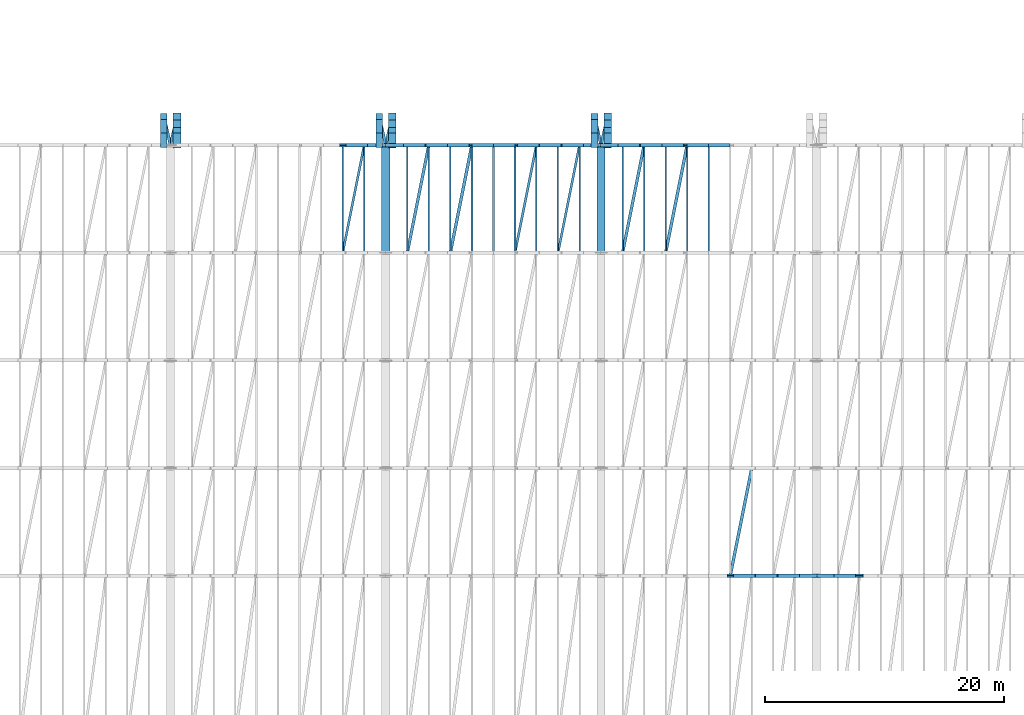
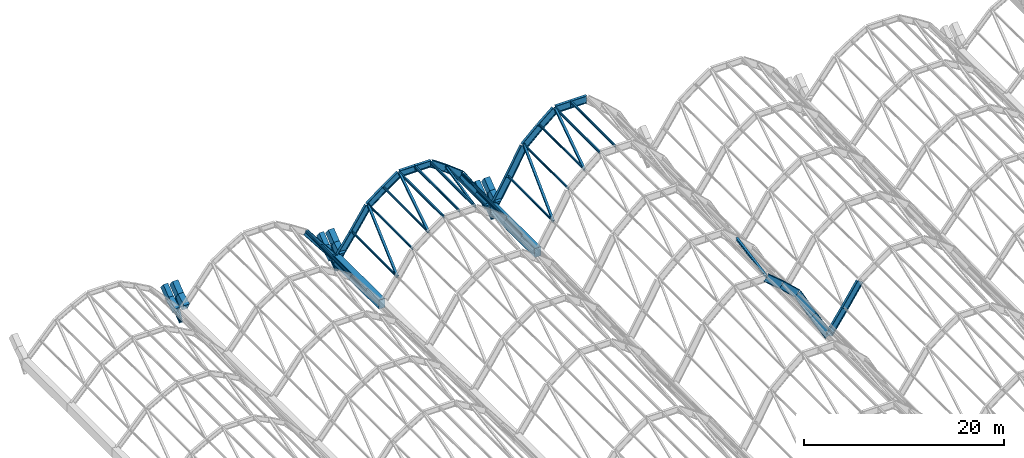
# One storey, part 22 of 86: 38 beams, 30 members.
"""IFC4 building model written with IfcOpenShell, lengths in metres."""

from ifc_helpers import new_model, si_unit, direction, frame, origin, origin_2d, place, context, subcontext, project, spatial, rectangle, i_section, extrude, material, material_profile, profile_set, type_object, element, save


model = new_model("IFC4")

# Units and contexts
model_context = context("Model", 3, precision=1e-05, world=origin(), true_north=direction((0.0, 1.0)))
body_context = subcontext(model_context, "Body", "Model", "MODEL_VIEW")
ifc_project = project(units=[si_unit("LENGTHUNIT", "METRE"), si_unit("AREAUNIT", "SQUARE_METRE"), si_unit("VOLUMEUNIT", "CUBIC_METRE"), si_unit("PLANEANGLEUNIT", "RADIAN"), si_unit("MASSUNIT", "GRAM", prefix="KILO")], contexts=[model_context])

# Site, building, storey
site_placement = place(None, origin())
site = spatial("IfcSite", under=ifc_project, at=site_placement, CompositionType="ELEMENT")
building_placement = place(site_placement, origin())
building = spatial("IfcBuilding", under=site, at=building_placement, Name="Chuanluo Vaults Station", CompositionType="ELEMENT")
storey_placement = place(building_placement, frame((0.0, 0.0, 14.39990234375)))
storey = spatial("IfcBuildingStorey", under=building, at=storey_placement, Name="L03", CompositionType="ELEMENT", Elevation=14.39990234375)

# Beams
ifc_material_1 = material(Name="Concrete C50", Category="concrete")
ifc_material_profile_1 = material_profile(ifc_material_1, rectangle(XDim=0.64990234375, YDim=0.949951171875, at=origin_2d()))
ifc_profile_set_1 = profile_set([ifc_material_profile_1], Name="Concrete C50")
beam_type_1 = type_object("IfcBeamType", Name="BM-CUSP-RC1", PredefinedType="USERDEFINED", material=ifc_profile_set_1)
beam_1_placement = place(storey_placement, frame((18.550048828125, 103.5, -0.5498046875), z_axis=(0.0, 0.872520545396, 0.488577422588), x_axis=(-1.0, 0.0, 0.0)))
element("IfcBeam", 1, at=beam_1_placement, inside=storey, type_object=beam_type_1, Name="Vault V2 upturned cusp rib N-W chord 1", ObjectType="GIRDER", PredefinedType="USERDEFINED", context=body_context, shape_type="SweptSolid", body=[
    extrude(rectangle(XDim=0.64990234375, YDim=0.949951171875, at=origin_2d()), origin(), (0.0, 0.0, 1.0), 1.4326171875),
])
beam_2_placement = place(storey_placement, frame((18.550048828125, 104.75, 0.150146484375), z_axis=(0.0, 0.787512057463, 0.61629924497), x_axis=(-1.0, 0.0, 0.0)))
element("IfcBeam", 2, at=beam_2_placement, inside=storey, type_object=beam_type_1, Name="Vault V2 upturned cusp rib N-W chord 2", ObjectType="GIRDER", PredefinedType="USERDEFINED", context=body_context, shape_type="SweptSolid", body=[
    extrude(rectangle(XDim=0.64990234375, YDim=0.949951171875, at=origin_2d()), origin(), (0.0, 0.0, 1.0), 1.460205078125),
])
beam_3_placement = place(storey_placement, frame((36.550048828125, 103.5, -0.5498046875), z_axis=(0.0, 0.872520545396, 0.488577422588), x_axis=(-1.0, 0.0, 0.0)))
element("IfcBeam", 3, at=beam_3_placement, inside=storey, type_object=beam_type_1, Name="Vault V3 upturned cusp rib N-W chord 1", ObjectType="GIRDER", PredefinedType="USERDEFINED", context=body_context, shape_type="SweptSolid", body=[
    extrude(rectangle(XDim=0.64990234375, YDim=0.949951171875, at=origin_2d()), origin(), (0.0, 0.0, 1.0), 1.4326171875),
])
beam_4_placement = place(storey_placement, frame((36.550048828125, 104.75, 0.150146484375), z_axis=(0.0, 0.787512057463, 0.61629924497), x_axis=(-1.0, 0.0, 0.0)))
element("IfcBeam", 4, at=beam_4_placement, inside=storey, type_object=beam_type_1, Name="Vault V3 upturned cusp rib N-W chord 2", ObjectType="GIRDER", PredefinedType="USERDEFINED", context=body_context, shape_type="SweptSolid", body=[
    extrude(rectangle(XDim=0.64990234375, YDim=0.949951171875, at=origin_2d()), origin(), (0.0, 0.0, 1.0), 1.460205078125),
])
beam_5_placement = place(storey_placement, frame((54.550048828125, 103.5, -0.5498046875), z_axis=(0.0, 0.872520545396, 0.488577422588), x_axis=(-1.0, 0.0, 0.0)))
element("IfcBeam", 5, at=beam_5_placement, inside=storey, type_object=beam_type_1, Name="Vault V4 upturned cusp rib N-W chord 1", ObjectType="GIRDER", PredefinedType="USERDEFINED", context=body_context, shape_type="SweptSolid", body=[
    extrude(rectangle(XDim=0.64990234375, YDim=0.949951171875, at=origin_2d()), origin(), (0.0, 0.0, 1.0), 1.4326171875),
])
beam_6_placement = place(storey_placement, frame((54.550048828125, 104.75, 0.150146484375), z_axis=(0.0, 0.787512057463, 0.61629924497), x_axis=(-1.0, 0.0, 0.0)))
element("IfcBeam", 6, at=beam_6_placement, inside=storey, type_object=beam_type_1, Name="Vault V4 upturned cusp rib N-W chord 2", ObjectType="GIRDER", PredefinedType="USERDEFINED", context=body_context, shape_type="SweptSolid", body=[
    extrude(rectangle(XDim=0.64990234375, YDim=0.949951171875, at=origin_2d()), origin(), (0.0, 0.0, 1.0), 1.460205078125),
])
ifc_material_2 = material(Name="Concrete C50", Category="concrete")
ifc_material_profile_2 = material_profile(ifc_material_2, rectangle(XDim=0.550048828125, YDim=0.85009765625, at=origin_2d()))
ifc_profile_set_2 = profile_set([ifc_material_profile_2], Name="Concrete C50")
beam_type_2 = type_object("IfcBeamType", Name="BM-CUSP-RC2", PredefinedType="USERDEFINED", material=ifc_profile_set_2)
beam_7_placement = place(storey_placement, frame((17.449951171875, 103.5, -0.5498046875), z_axis=(0.0, 0.872520545396, 0.488577422588), x_axis=(-1.0, 0.0, 0.0)))
element("IfcBeam", 7, at=beam_7_placement, inside=storey, type_object=beam_type_2, Name="Vault V1 upturned cusp rib N-E chord 1", ObjectType="GIRDER", PredefinedType="USERDEFINED", context=body_context, shape_type="SweptSolid", body=[
    extrude(rectangle(XDim=0.550048828125, YDim=0.85009765625, at=origin_2d()), origin(), (0.0, 0.0, 1.0), 1.4326171875),
])
beam_8_placement = place(storey_placement, frame((17.449951171875, 104.75, 0.150146484375), z_axis=(0.0, 0.787512057463, 0.61629924497), x_axis=(-1.0, 0.0, 0.0)))
element("IfcBeam", 8, at=beam_8_placement, inside=storey, type_object=beam_type_2, Name="Vault V1 upturned cusp rib N-E chord 2", ObjectType="GIRDER", PredefinedType="USERDEFINED", context=body_context, shape_type="SweptSolid", body=[
    extrude(rectangle(XDim=0.550048828125, YDim=0.85009765625, at=origin_2d()), origin(), (0.0, 0.0, 1.0), 1.460205078125),
])
beam_9_placement = place(storey_placement, frame((35.449951171875, 103.5, -0.5498046875), z_axis=(0.0, 0.872520545396, 0.488577422588), x_axis=(-1.0, 0.0, 0.0)))
element("IfcBeam", 9, at=beam_9_placement, inside=storey, type_object=beam_type_2, Name="Vault V2 upturned cusp rib N-E chord 1", ObjectType="GIRDER", PredefinedType="USERDEFINED", context=body_context, shape_type="SweptSolid", body=[
    extrude(rectangle(XDim=0.550048828125, YDim=0.85009765625, at=origin_2d()), origin(), (0.0, 0.0, 1.0), 1.4326171875),
])
beam_10_placement = place(storey_placement, frame((35.449951171875, 104.75, 0.150146484375), z_axis=(0.0, 0.787512057463, 0.61629924497), x_axis=(-1.0, 0.0, 0.0)))
element("IfcBeam", 10, at=beam_10_placement, inside=storey, type_object=beam_type_2, Name="Vault V2 upturned cusp rib N-E chord 2", ObjectType="GIRDER", PredefinedType="USERDEFINED", context=body_context, shape_type="SweptSolid", body=[
    extrude(rectangle(XDim=0.550048828125, YDim=0.85009765625, at=origin_2d()), origin(), (0.0, 0.0, 1.0), 1.460205078125),
])
beam_11_placement = place(storey_placement, frame((53.449951171875, 103.5, -0.5498046875), z_axis=(0.0, 0.872520545396, 0.488577422588), x_axis=(-1.0, 0.0, 0.0)))
element("IfcBeam", 11, at=beam_11_placement, inside=storey, type_object=beam_type_2, Name="Vault V3 upturned cusp rib N-E chord 1", ObjectType="GIRDER", PredefinedType="USERDEFINED", context=body_context, shape_type="SweptSolid", body=[
    extrude(rectangle(XDim=0.550048828125, YDim=0.85009765625, at=origin_2d()), origin(), (0.0, 0.0, 1.0), 1.4326171875),
])
beam_12_placement = place(storey_placement, frame((53.449951171875, 104.75, 0.150146484375), z_axis=(0.0, 0.787512057463, 0.61629924497), x_axis=(-1.0, 0.0, 0.0)))
element("IfcBeam", 12, at=beam_12_placement, inside=storey, type_object=beam_type_2, Name="Vault V3 upturned cusp rib N-E chord 2", ObjectType="GIRDER", PredefinedType="USERDEFINED", context=body_context, shape_type="SweptSolid", body=[
    extrude(rectangle(XDim=0.550048828125, YDim=0.85009765625, at=origin_2d()), origin(), (0.0, 0.0, 1.0), 1.460205078125),
])
ifc_material_3 = material(Name="Concrete C50", Category="concrete")
ifc_material_profile_3 = material_profile(ifc_material_3, rectangle(XDim=0.699951171875, YDim=1.10009765625, at=origin_2d()))
ifc_profile_set_3 = profile_set([ifc_material_profile_3], Name="Concrete C50")
beam_type_3 = type_object("IfcBeamType", Name="BM-VAL-RC", PredefinedType="USERDEFINED", material=ifc_profile_set_3)
for number, where, z_axis, x_axis, name in (
    (13, (36.0, 94.5, -0.7998046875), (0.0, 1.0, 0.0), (-1.0, 0.0, 0.0), "Vault springing valley beam X36-8"),
    (14, (54.0, 94.5, -0.7998046875), (0.0, 1.0, 0.0), (-1.0, 0.0, 0.0), "Vault springing valley beam X54-8"),
):
    element("IfcBeam", number, at=place(storey_placement, frame(where, z_axis=z_axis, x_axis=x_axis)), inside=storey, type_object=beam_type_3, Name=name, ObjectType="GIRDER", PredefinedType="USERDEFINED", context=body_context, shape_type="SweptSolid", body=[
        extrude(rectangle(XDim=0.699951171875, YDim=1.10009765625, at=origin_2d()), origin(), (0.0, 0.0, 1.0), 9.0),
    ])
ifc_material_4 = material(Name="Steel Q355C", Category="steel")
ifc_material_profile_4 = material_profile(ifc_material_4, i_section(OverallWidth=0.300048828125, OverallDepth=0.699951171875, WebThickness=0.012939453125, FlangeThickness=0.02392578125, FilletRadius=0.02392578125, at=origin_2d()))
ifc_profile_set_4 = profile_set([ifc_material_profile_4], Name="Steel Q355C")
beam_type_4 = type_object("IfcBeamType", Name="BM-VLT-700", PredefinedType="USERDEFINED", material=ifc_profile_set_4)
beam_13_placement = place(storey_placement, frame((32.39990234375, 103.5, 3.74560546875), z_axis=(0.613681275736, 0.0, -0.789553856182), x_axis=(0.0, 1.0, 0.0)))
element("IfcBeam", 15, at=beam_13_placement, inside=storey, type_object=beam_type_4, Name="Vault V2 arch rib 9 chord 9", ObjectType="GIRDER", PredefinedType="USERDEFINED", context=body_context, shape_type="SweptSolid", body=[
    extrude(i_section(OverallWidth=0.300048828125, OverallDepth=0.699951171875, WebThickness=0.012939453125, FlangeThickness=0.02392578125, FilletRadius=0.02392578125, at=origin_2d()), origin(), (0.0, 0.0, 1.0), 2.93310546875),
])
beam_14_placement = place(storey_placement, frame((34.199951171875, 103.5, 1.4296875), z_axis=(0.628190338877, 0.0, -0.778059700885), x_axis=(0.0, 1.0, 0.0)))
element("IfcBeam", 16, at=beam_14_placement, inside=storey, type_object=beam_type_4, Name="Vault V2 arch rib 9 chord 10", ObjectType="GIRDER", PredefinedType="USERDEFINED", context=body_context, shape_type="SweptSolid", body=[
    extrude(i_section(OverallWidth=0.300048828125, OverallDepth=0.699951171875, WebThickness=0.012939453125, FlangeThickness=0.02392578125, FilletRadius=0.02392578125, at=origin_2d()), origin(), (0.0, 0.0, 1.0), 2.865478515625),
])
ifc_material_5 = material(Name="Steel Q355C", Category="steel")
ifc_material_profile_5 = material_profile(ifc_material_5, i_section(OverallWidth=0.300048828125, OverallDepth=0.800048828125, WebThickness=0.013916015625, FlangeThickness=0.02587890625, FilletRadius=0.02392578125, at=origin_2d()))
ifc_profile_set_5 = profile_set([ifc_material_profile_5], Name="Steel Q355C")
beam_type_5 = type_object("IfcBeamType", Name="BM-VLT-800", PredefinedType="USERDEFINED", material=ifc_profile_set_5)
beam_15_placement = place(storey_placement, frame((36.0, 103.5, -0.849853515625), z_axis=(0.568880934439, 0.0, 0.822419894234), x_axis=(0.0, 1.0, 0.0)))
element("IfcBeam", 17, at=beam_15_placement, inside=storey, type_object=beam_type_5, Name="Vault V3 arch rib 9 chord 1", ObjectType="GIRDER", PredefinedType="USERDEFINED", context=body_context, shape_type="SweptSolid", body=[
    extrude(i_section(OverallWidth=0.300048828125, OverallDepth=0.800048828125, WebThickness=0.013916015625, FlangeThickness=0.02587890625, FilletRadius=0.02392578125, at=origin_2d()), origin(), (0.0, 0.0, 1.0), 3.164306640625),
])
beam_16_placement = place(storey_placement, frame((37.800048828125, 103.5, 1.75244140625), z_axis=(0.550471867992, 0.0, 0.834853713263), x_axis=(0.0, 1.0, 0.0)))
element("IfcBeam", 18, at=beam_16_placement, inside=storey, type_object=beam_type_5, Name="Vault V3 arch rib 9 chord 2", ObjectType="GIRDER", PredefinedType="USERDEFINED", context=body_context, shape_type="SweptSolid", body=[
    extrude(i_section(OverallWidth=0.300048828125, OverallDepth=0.800048828125, WebThickness=0.013916015625, FlangeThickness=0.02587890625, FilletRadius=0.02392578125, at=origin_2d()), origin(), (0.0, 0.0, 1.0), 3.27001953125),
])
beam_17_placement = place(storey_placement, frame((39.60009765625, 103.5, 4.482421875), z_axis=(0.790274889356, 0.0, 0.612752477965), x_axis=(0.0, 1.0, 0.0)))
element("IfcBeam", 19, at=beam_17_placement, inside=storey, type_object=beam_type_5, Name="Vault V3 arch rib 9 chord 3", ObjectType="GIRDER", PredefinedType="USERDEFINED", context=body_context, shape_type="SweptSolid", body=[
    extrude(i_section(OverallWidth=0.300048828125, OverallDepth=0.800048828125, WebThickness=0.013916015625, FlangeThickness=0.02587890625, FilletRadius=0.02392578125, at=origin_2d()), origin(), (0.0, 0.0, 1.0), 2.27734375),
])
beam_18_placement = place(storey_placement, frame((41.39990234375, 103.5, 5.8779296875), z_axis=(0.820907471123, 0.0, 0.571061226012), x_axis=(0.0, 1.0, 0.0)))
element("IfcBeam", 20, at=beam_18_placement, inside=storey, type_object=beam_type_5, Name="Vault V3 arch rib 9 chord 4", ObjectType="GIRDER", PredefinedType="USERDEFINED", context=body_context, shape_type="SweptSolid", body=[
    extrude(i_section(OverallWidth=0.300048828125, OverallDepth=0.800048828125, WebThickness=0.013916015625, FlangeThickness=0.02587890625, FilletRadius=0.02392578125, at=origin_2d()), origin(), (0.0, 0.0, 1.0), 2.19287109375),
])
for number, where, z_axis, x_axis, name in (
    (21, (43.199951171875, 103.5, 7.130126953125), (1.0, 0.0, 0.0), (0.0, 1.0, 0.0), "Vault V3 arch rib 9 chord 5"),
    (22, (45.0, 103.5, 7.130126953125), (1.0, 0.0, 0.0), (0.0, 1.0, 0.0), "Vault V3 arch rib 9 chord 6"),
):
    element("IfcBeam", number, at=place(storey_placement, frame(where, z_axis=z_axis, x_axis=x_axis)), inside=storey, type_object=beam_type_5, Name=name, ObjectType="GIRDER", PredefinedType="USERDEFINED", context=body_context, shape_type="SweptSolid", body=[
        extrude(i_section(OverallWidth=0.300048828125, OverallDepth=0.800048828125, WebThickness=0.013916015625, FlangeThickness=0.02587890625, FilletRadius=0.02392578125, at=origin_2d()), origin(), (0.0, 0.0, 1.0), 1.800048828125),
    ])
beam_19_placement = place(storey_placement, frame((46.800048828125, 103.5, 7.130126953125), z_axis=(0.820907471123, 0.0, -0.571061226012), x_axis=(0.0, 1.0, 0.0)))
element("IfcBeam", 23, at=beam_19_placement, inside=storey, type_object=beam_type_5, Name="Vault V3 arch rib 9 chord 7", ObjectType="GIRDER", PredefinedType="USERDEFINED", context=body_context, shape_type="SweptSolid", body=[
    extrude(i_section(OverallWidth=0.300048828125, OverallDepth=0.800048828125, WebThickness=0.013916015625, FlangeThickness=0.02587890625, FilletRadius=0.02392578125, at=origin_2d()), origin(), (0.0, 0.0, 1.0), 2.19287109375),
])
beam_20_placement = place(storey_placement, frame((48.60009765625, 103.5, 5.8779296875), z_axis=(0.790274889356, 0.0, -0.612752477965), x_axis=(0.0, 1.0, 0.0)))
element("IfcBeam", 24, at=beam_20_placement, inside=storey, type_object=beam_type_5, Name="Vault V3 arch rib 9 chord 8", ObjectType="GIRDER", PredefinedType="USERDEFINED", context=body_context, shape_type="SweptSolid", body=[
    extrude(i_section(OverallWidth=0.300048828125, OverallDepth=0.800048828125, WebThickness=0.013916015625, FlangeThickness=0.02587890625, FilletRadius=0.02392578125, at=origin_2d()), origin(), (0.0, 0.0, 1.0), 2.27734375),
])
beam_21_placement = place(storey_placement, frame((50.39990234375, 103.5, 4.482421875), z_axis=(0.550471867992, 0.0, -0.834853713263), x_axis=(0.0, 1.0, 0.0)))
element("IfcBeam", 25, at=beam_21_placement, inside=storey, type_object=beam_type_5, Name="Vault V3 arch rib 9 chord 9", ObjectType="GIRDER", PredefinedType="USERDEFINED", context=body_context, shape_type="SweptSolid", body=[
    extrude(i_section(OverallWidth=0.300048828125, OverallDepth=0.800048828125, WebThickness=0.013916015625, FlangeThickness=0.02587890625, FilletRadius=0.02392578125, at=origin_2d()), origin(), (0.0, 0.0, 1.0), 3.27001953125),
])
for number, where, z_axis, x_axis, name in (
    (26, (52.199951171875, 103.5, 1.75244140625), (0.568880934439, 0.0, -0.822419894234), (0.0, 1.0, 0.0), "Vault V3 arch rib 9 chord 10"),
    (27, (72.0, 67.5, -0.849853515625), (0.568880934439, 0.0, 0.822419894234), (0.0, 1.0, 0.0), "Vault V5 arch rib 5 chord 1"),
):
    element("IfcBeam", number, at=place(storey_placement, frame(where, z_axis=z_axis, x_axis=x_axis)), inside=storey, type_object=beam_type_5, Name=name, ObjectType="GIRDER", PredefinedType="USERDEFINED", context=body_context, shape_type="SweptSolid", body=[
        extrude(i_section(OverallWidth=0.300048828125, OverallDepth=0.800048828125, WebThickness=0.013916015625, FlangeThickness=0.02587890625, FilletRadius=0.02392578125, at=origin_2d()), origin(), (0.0, 0.0, 1.0), 3.164306640625),
    ])
beam_22_placement = place(storey_placement, frame((73.800048828125, 67.5, 1.75244140625), z_axis=(0.550471867992, 0.0, 0.834853713263), x_axis=(0.0, 1.0, 0.0)))
element("IfcBeam", 28, at=beam_22_placement, inside=storey, type_object=beam_type_5, Name="Vault V5 arch rib 5 chord 2", ObjectType="GIRDER", PredefinedType="USERDEFINED", context=body_context, shape_type="SweptSolid", body=[
    extrude(i_section(OverallWidth=0.300048828125, OverallDepth=0.800048828125, WebThickness=0.013916015625, FlangeThickness=0.02587890625, FilletRadius=0.02392578125, at=origin_2d()), origin(), (0.0, 0.0, 1.0), 3.27001953125),
])
ifc_material_6 = material(Name="Steel Q355C", Category="steel")
ifc_material_profile_6 = material_profile(ifc_material_6, i_section(OverallWidth=0.300048828125, OverallDepth=0.89990234375, WebThickness=0.01611328125, FlangeThickness=0.028076171875, FilletRadius=0.02392578125, at=origin_2d()))
ifc_profile_set_6 = profile_set([ifc_material_profile_6], Name="Steel Q355C")
beam_type_6 = type_object("IfcBeamType", Name="BM-VLT-900", PredefinedType="USERDEFINED", material=ifc_profile_set_6)
beam_23_placement = place(storey_placement, frame((64.800048828125, 67.5, 8.68017578125), z_axis=(0.76434097912, 0.0, -0.644812273176), x_axis=(0.0, 1.0, 0.0)))
element("IfcBeam", 29, at=beam_23_placement, inside=storey, type_object=beam_type_6, Name="Vault V4 arch rib 5 chord 7", ObjectType="GIRDER", PredefinedType="USERDEFINED", context=body_context, shape_type="SweptSolid", body=[
    extrude(i_section(OverallWidth=0.300048828125, OverallDepth=0.89990234375, WebThickness=0.01611328125, FlangeThickness=0.028076171875, FilletRadius=0.02392578125, at=origin_2d()), origin(), (0.0, 0.0, 1.0), 2.35498046875),
])
beam_24_placement = place(storey_placement, frame((66.60009765625, 67.5, 7.16162109375), z_axis=(0.730389392317, 0.0, -0.683030991676), x_axis=(0.0, 1.0, 0.0)))
element("IfcBeam", 30, at=beam_24_placement, inside=storey, type_object=beam_type_6, Name="Vault V4 arch rib 5 chord 8", ObjectType="GIRDER", PredefinedType="USERDEFINED", context=body_context, shape_type="SweptSolid", body=[
    extrude(i_section(OverallWidth=0.300048828125, OverallDepth=0.89990234375, WebThickness=0.01611328125, FlangeThickness=0.028076171875, FilletRadius=0.02392578125, at=origin_2d()), origin(), (0.0, 0.0, 1.0), 2.464111328125),
])
beam_25_placement = place(storey_placement, frame((68.39990234375, 67.5, 5.478515625), z_axis=(0.480856872349, 0.0, -0.876799103738), x_axis=(0.0, 1.0, 0.0)))
element("IfcBeam", 31, at=beam_25_placement, inside=storey, type_object=beam_type_6, Name="Vault V4 arch rib 5 chord 9", ObjectType="GIRDER", PredefinedType="USERDEFINED", context=body_context, shape_type="SweptSolid", body=[
    extrude(i_section(OverallWidth=0.300048828125, OverallDepth=0.89990234375, WebThickness=0.01611328125, FlangeThickness=0.028076171875, FilletRadius=0.02392578125, at=origin_2d()), origin(), (0.0, 0.0, 1.0), 3.743408203125),
])
for number, where, z_axis, x_axis, name in (
    (32, (70.199951171875, 67.5, 2.1962890625), (0.502607424266, 0.0, -0.864514763941), (0.0, 1.0, 0.0), "Vault V4 arch rib 5 chord 10"),
    (33, (54.0, 103.5, -0.89990234375), (0.502607424266, 0.0, 0.864514763941), (0.0, 1.0, 0.0), "Vault V4 arch rib 9 chord 1"),
):
    element("IfcBeam", number, at=place(storey_placement, frame(where, z_axis=z_axis, x_axis=x_axis)), inside=storey, type_object=beam_type_6, Name=name, ObjectType="GIRDER", PredefinedType="USERDEFINED", context=body_context, shape_type="SweptSolid", body=[
        extrude(i_section(OverallWidth=0.300048828125, OverallDepth=0.89990234375, WebThickness=0.01611328125, FlangeThickness=0.028076171875, FilletRadius=0.02392578125, at=origin_2d()), origin(), (0.0, 0.0, 1.0), 3.58154296875),
    ])
beam_26_placement = place(storey_placement, frame((55.800048828125, 103.5, 2.1962890625), z_axis=(0.480856872349, 0.0, 0.876799103738), x_axis=(0.0, 1.0, 0.0)))
element("IfcBeam", 34, at=beam_26_placement, inside=storey, type_object=beam_type_6, Name="Vault V4 arch rib 9 chord 2", ObjectType="GIRDER", PredefinedType="USERDEFINED", context=body_context, shape_type="SweptSolid", body=[
    extrude(i_section(OverallWidth=0.300048828125, OverallDepth=0.89990234375, WebThickness=0.01611328125, FlangeThickness=0.028076171875, FilletRadius=0.02392578125, at=origin_2d()), origin(), (0.0, 0.0, 1.0), 3.743408203125),
])
beam_27_placement = place(storey_placement, frame((57.60009765625, 103.5, 5.478515625), z_axis=(0.730389392317, 0.0, 0.683030991676), x_axis=(0.0, 1.0, 0.0)))
element("IfcBeam", 35, at=beam_27_placement, inside=storey, type_object=beam_type_6, Name="Vault V4 arch rib 9 chord 3", ObjectType="GIRDER", PredefinedType="USERDEFINED", context=body_context, shape_type="SweptSolid", body=[
    extrude(i_section(OverallWidth=0.300048828125, OverallDepth=0.89990234375, WebThickness=0.01611328125, FlangeThickness=0.028076171875, FilletRadius=0.02392578125, at=origin_2d()), origin(), (0.0, 0.0, 1.0), 2.464111328125),
])
beam_28_placement = place(storey_placement, frame((59.39990234375, 103.5, 7.16162109375), z_axis=(0.76434097912, 0.0, 0.644812273176), x_axis=(0.0, 1.0, 0.0)))
element("IfcBeam", 36, at=beam_28_placement, inside=storey, type_object=beam_type_6, Name="Vault V4 arch rib 9 chord 4", ObjectType="GIRDER", PredefinedType="USERDEFINED", context=body_context, shape_type="SweptSolid", body=[
    extrude(i_section(OverallWidth=0.300048828125, OverallDepth=0.89990234375, WebThickness=0.01611328125, FlangeThickness=0.028076171875, FilletRadius=0.02392578125, at=origin_2d()), origin(), (0.0, 0.0, 1.0), 2.35498046875),
])
for number, where, z_axis, x_axis, name in (
    (37, (61.199951171875, 103.5, 8.68017578125), (1.0, 0.0, 0.0), (0.0, 1.0, 0.0), "Vault V4 arch rib 9 chord 5"),
    (38, (63.0, 103.5, 8.68017578125), (1.0, 0.0, 0.0), (0.0, 1.0, 0.0), "Vault V4 arch rib 9 chord 6"),
):
    element("IfcBeam", number, at=place(storey_placement, frame(where, z_axis=z_axis, x_axis=x_axis)), inside=storey, type_object=beam_type_6, Name=name, ObjectType="GIRDER", PredefinedType="USERDEFINED", context=body_context, shape_type="SweptSolid", body=[
        extrude(i_section(OverallWidth=0.300048828125, OverallDepth=0.89990234375, WebThickness=0.01611328125, FlangeThickness=0.028076171875, FilletRadius=0.02392578125, at=origin_2d()), origin(), (0.0, 0.0, 1.0), 1.800048828125),
    ])

# Members
ifc_material_7 = material(Name="Steel Q355C", Category="steel")
ifc_material_profile_7 = material_profile(ifc_material_7, i_section(OverallWidth=0.25, OverallDepth=0.340087890625, WebThickness=0.009033203125, FlangeThickness=0.013916015625, FilletRadius=0.01611328125, at=origin_2d()))
ifc_profile_set_7 = profile_set([ifc_material_profile_7], Name="Steel Q355C")
member_type_1 = type_object("IfcMemberType", Name="MEM-CBR-340", PredefinedType="BRACE", material=ifc_profile_set_7)
for number, where, z_axis, x_axis, name in (
    (39, (18.0, 103.5, -2.25), (-0.133593569942, 0.582878292291, 0.801502123794), (-0.974726021078, -0.223403634333, 0.0), "Upturned eave cusp raking prop N-X18-W"),
    (40, (18.0, 103.5, -2.25), (0.133593569942, 0.582878292291, 0.801502123794), (-0.974726021078, 0.223403634333, 0.0), "Upturned eave cusp raking prop N-X18-E"),
    (41, (36.0, 103.5, -2.25), (-0.133593569942, 0.582878292291, 0.801502123794), (-0.974726021078, -0.223403634333, 0.0), "Upturned eave cusp raking prop N-X36-W"),
    (42, (36.0, 103.5, -2.25), (0.133593569942, 0.582878292291, 0.801502123794), (-0.974726021078, 0.223403634333, 0.0), "Upturned eave cusp raking prop N-X36-E"),
    (43, (54.0, 103.5, -2.25), (-0.133593569942, 0.582878292291, 0.801502123794), (-0.974726021078, -0.223403634333, 0.0), "Upturned eave cusp raking prop N-X54-W"),
    (44, (54.0, 103.5, -2.25), (0.133593569942, 0.582878292291, 0.801502123794), (-0.974726021078, 0.223403634333, 0.0), "Upturned eave cusp raking prop N-X54-E"),
):
    element("IfcMember", number, at=place(storey_placement, frame(where, z_axis=z_axis, x_axis=x_axis)), inside=storey, type_object=member_type_1, Name=name, PredefinedType="BRACE", context=body_context, shape_type="SweptSolid", body=[
        extrude(i_section(OverallWidth=0.25, OverallDepth=0.340087890625, WebThickness=0.009033203125, FlangeThickness=0.013916015625, FilletRadius=0.01611328125, at=origin_2d()), origin(), (0.0, 0.0, 1.0), 4.117431640625),
    ])
ifc_material_8 = material(Name="Steel Q355C", Category="steel")
ifc_material_profile_8 = material_profile(ifc_material_8, i_section(OverallWidth=0.125, OverallDepth=0.25, WebThickness=0.006103515625, FlangeThickness=0.009033203125, FilletRadius=0.011962890625, at=origin_2d()))
ifc_profile_set_8 = profile_set([ifc_material_profile_8], Name="Steel Q355C")
member_type_2 = type_object("IfcMemberType", Name="MEM-PUR-250", PredefinedType="PURLIN", material=ifc_profile_set_8)
for number, where, z_axis, x_axis, name in (
    (45, (32.39990234375, 94.5, 3.849853515625), (0.0, 1.0, 0.0), (-1.0, 0.0, 0.0), "Vault V2 purlin 8.8"),
    (46, (34.199951171875, 94.5, 1.5126953125), (0.0, 1.0, 0.0), (-1.0, 0.0, 0.0), "Vault V2 purlin 8.9"),
    (47, (37.800048828125, 94.5, 1.86962890625), (0.0, 1.0, 0.0), (-1.0, 0.0, 0.0), "Vault V3 purlin 8.1"),
    (48, (39.60009765625, 94.5, 4.619384765625), (0.0, 1.0, 0.0), (-1.0, 0.0, 0.0), "Vault V3 purlin 8.2"),
    (49, (41.39990234375, 94.5, 6.062744140625), (0.0, 1.0, 0.0), (-1.0, 0.0, 0.0), "Vault V3 purlin 8.3"),
    (50, (48.60009765625, 94.5, 6.062744140625), (0.0, 1.0, 0.0), (-1.0, 0.0, 0.0), "Vault V3 purlin 8.7"),
    (51, (50.39990234375, 94.5, 4.619384765625), (0.0, 1.0, 0.0), (-1.0, 0.0, 0.0), "Vault V3 purlin 8.8"),
    (52, (52.199951171875, 94.5, 1.86962890625), (0.0, 1.0, 0.0), (-1.0, 0.0, 0.0), "Vault V3 purlin 8.9"),
    (53, (55.800048828125, 94.5, 2.3427734375), (0.0, 1.0, 0.0), (-1.0, 0.0, 0.0), "Vault V4 purlin 8.1"),
    (54, (57.60009765625, 94.5, 5.642578125), (0.0, 1.0, 0.0), (-1.0, 0.0, 0.0), "Vault V4 purlin 8.2"),
    (55, (59.39990234375, 94.5, 7.38720703125), (0.0, 1.0, 0.0), (-1.0, 0.0, 0.0), "Vault V4 purlin 8.3"),
):
    element("IfcMember", number, at=place(storey_placement, frame(where, z_axis=z_axis, x_axis=x_axis)), inside=storey, type_object=member_type_2, Name=name, PredefinedType="PURLIN", context=body_context, shape_type="SweptSolid", body=[
        extrude(i_section(OverallWidth=0.125, OverallDepth=0.25, WebThickness=0.006103515625, FlangeThickness=0.009033203125, FilletRadius=0.011962890625, at=origin_2d()), origin(), (0.0, 0.0, 1.0), 9.0),
    ])
ifc_material_9 = material(Name="Steel Q355C", Category="steel")
ifc_material_profile_9 = material_profile(ifc_material_9, i_section(OverallWidth=0.14990234375, OverallDepth=0.300048828125, WebThickness=0.006591796875, FlangeThickness=0.009033203125, FilletRadius=0.012939453125, at=origin_2d()))
ifc_profile_set_9 = profile_set([ifc_material_profile_9], Name="Steel Q355C")
member_type_3 = type_object("IfcMemberType", Name="MEM-PUR-300", PredefinedType="PURLIN", material=ifc_profile_set_9)
for number, where, z_axis, x_axis, name in (
    (56, (43.199951171875, 94.5, 7.264404296875), (0.0, 1.0, 0.0), (-1.0, 0.0, 0.0), "Vault V3 purlin 8.4"),
    (57, (45.0, 94.5, 7.3720703125), (0.0, 1.0, 0.0), (-1.0, 0.0, 0.0), "Vault V3 purlin 8.5"),
    (58, (46.800048828125, 94.5, 7.264404296875), (0.0, 1.0, 0.0), (-1.0, 0.0, 0.0), "Vault V3 purlin 8.6"),
    (59, (61.199951171875, 94.5, 8.834228515625), (0.0, 1.0, 0.0), (-1.0, 0.0, 0.0), "Vault V4 purlin 8.4"),
    (60, (63.0, 94.5, 8.97216796875), (0.0, 1.0, 0.0), (-1.0, 0.0, 0.0), "Vault V4 purlin 8.5"),
):
    element("IfcMember", number, at=place(storey_placement, frame(where, z_axis=z_axis, x_axis=x_axis)), inside=storey, type_object=member_type_3, Name=name, PredefinedType="PURLIN", context=body_context, shape_type="SweptSolid", body=[
        extrude(i_section(OverallWidth=0.14990234375, OverallDepth=0.300048828125, WebThickness=0.006591796875, FlangeThickness=0.009033203125, FilletRadius=0.012939453125, at=origin_2d()), origin(), (0.0, 0.0, 1.0), 9.0),
    ])
ifc_material_10 = material(Name="Steel Q355C", Category="steel")
ifc_material_profile_10 = material_profile(ifc_material_10, i_section(OverallWidth=0.199951171875, OverallDepth=0.199951171875, WebThickness=0.008056640625, FlangeThickness=0.011962890625, FilletRadius=0.012939453125, at=origin_2d()))
ifc_profile_set_10 = profile_set([ifc_material_profile_10], Name="Steel Q355C")
member_type_4 = type_object("IfcMemberType", Name="MEM-VBR-200", PredefinedType="BRACE", material=ifc_profile_set_10)
member_1_placement = place(storey_placement, frame((32.39990234375, 94.5, 3.849853515625), z_axis=(0.19005620389, 0.950255242126, -0.246766314911), x_axis=(-0.980579652604, 0.196121250506, 0.0)))
element("IfcMember", 61, at=member_1_placement, inside=storey, type_object=member_type_4, Name="Vault V2 space-frame diagonal 8.8", PredefinedType="BRACE", context=body_context, shape_type="SweptSolid", body=[
    extrude(i_section(OverallWidth=0.199951171875, OverallDepth=0.199951171875, WebThickness=0.008056640625, FlangeThickness=0.011962890625, FilletRadius=0.012939453125, at=origin_2d()), origin(), (0.0, 0.0, 1.0), 9.47119140625),
])
member_2_placement = place(storey_placement, frame((46.800048828125, 94.5, 7.264404296875), z_axis=(0.194461668086, 0.972281965593, -0.129816944299), x_axis=(-0.980579652604, 0.196121250506, 0.0)))
element("IfcMember", 62, at=member_2_placement, inside=storey, type_object=member_type_4, Name="Vault V3 space-frame diagonal 8.6", PredefinedType="BRACE", context=body_context, shape_type="SweptSolid", body=[
    extrude(i_section(OverallWidth=0.199951171875, OverallDepth=0.199951171875, WebThickness=0.008056640625, FlangeThickness=0.011962890625, FilletRadius=0.012939453125, at=origin_2d()), origin(), (0.0, 0.0, 1.0), 9.256591796875),
])
member_3_placement = place(storey_placement, frame((50.39990234375, 94.5, 4.619384765625), z_axis=(0.187871019476, 0.939329616435, -0.286991901853), x_axis=(-0.980579652604, 0.196121250506, 0.0)))
element("IfcMember", 63, at=member_3_placement, inside=storey, type_object=member_type_4, Name="Vault V3 space-frame diagonal 8.8", PredefinedType="BRACE", context=body_context, shape_type="SweptSolid", body=[
    extrude(i_section(OverallWidth=0.199951171875, OverallDepth=0.199951171875, WebThickness=0.008056640625, FlangeThickness=0.011962890625, FilletRadius=0.012939453125, at=origin_2d()), origin(), (0.0, 0.0, 1.0), 9.581298828125),
])
ifc_material_11 = material(Name="Steel Q355C", Category="steel")
ifc_material_profile_11 = material_profile(ifc_material_11, i_section(OverallWidth=0.25, OverallDepth=0.25, WebThickness=0.009033203125, FlangeThickness=0.013916015625, FilletRadius=0.01611328125, at=origin_2d()))
ifc_profile_set_11 = profile_set([ifc_material_profile_11], Name="Steel Q355C")
member_type_5 = type_object("IfcMemberType", Name="MEM-VBR-250", PredefinedType="BRACE", material=ifc_profile_set_11)
member_4_placement = place(storey_placement, frame((37.800048828125, 94.5, 1.86962890625), z_axis=(0.187871019476, 0.939329616435, 0.286991901853), x_axis=(-0.980579652604, 0.196121250506, 0.0)))
element("IfcMember", 64, at=member_4_placement, inside=storey, type_object=member_type_5, Name="Vault V3 space-frame diagonal 8.1", PredefinedType="BRACE", context=body_context, shape_type="SweptSolid", body=[
    extrude(i_section(OverallWidth=0.25, OverallDepth=0.25, WebThickness=0.009033203125, FlangeThickness=0.013916015625, FilletRadius=0.01611328125, at=origin_2d()), origin(), (0.0, 0.0, 1.0), 9.581298828125),
])
member_5_placement = place(storey_placement, frame((41.39990234375, 94.5, 6.062744140625), z_axis=(0.194461668086, 0.972281965593, 0.129816944299), x_axis=(-0.980579652604, 0.196121250506, 0.0)))
element("IfcMember", 65, at=member_5_placement, inside=storey, type_object=member_type_5, Name="Vault V3 space-frame diagonal 8.3", PredefinedType="BRACE", context=body_context, shape_type="SweptSolid", body=[
    extrude(i_section(OverallWidth=0.25, OverallDepth=0.25, WebThickness=0.009033203125, FlangeThickness=0.013916015625, FilletRadius=0.01611328125, at=origin_2d()), origin(), (0.0, 0.0, 1.0), 9.256591796875),
])
member_6_placement = place(storey_placement, frame((64.800048828125, 67.5, 8.834228515625), z_axis=(0.193728375326, 0.968615601248, -0.155734176123), x_axis=(-0.980579652604, 0.196121250506, 0.0)))
element("IfcMember", 66, at=member_6_placement, inside=storey, type_object=member_type_5, Name="Vault V4 space-frame diagonal 5.6", PredefinedType="BRACE", context=body_context, shape_type="SweptSolid", body=[
    extrude(i_section(OverallWidth=0.25, OverallDepth=0.25, WebThickness=0.009033203125, FlangeThickness=0.013916015625, FilletRadius=0.01611328125, at=origin_2d()), origin(), (0.0, 0.0, 1.0), 9.29150390625),
])
member_7_placement = place(storey_placement, frame((55.800048828125, 94.5, 2.3427734375), z_axis=(0.184555961681, 0.922754777078, 0.338323393202), x_axis=(-0.980579652604, 0.196121250506, 0.0)))
element("IfcMember", 67, at=member_7_placement, inside=storey, type_object=member_type_5, Name="Vault V4 space-frame diagonal 8.1", PredefinedType="BRACE", context=body_context, shape_type="SweptSolid", body=[
    extrude(i_section(OverallWidth=0.25, OverallDepth=0.25, WebThickness=0.009033203125, FlangeThickness=0.013916015625, FilletRadius=0.01611328125, at=origin_2d()), origin(), (0.0, 0.0, 1.0), 9.75341796875),
])
member_8_placement = place(storey_placement, frame((59.39990234375, 94.5, 7.38720703125), z_axis=(0.193728375326, 0.968615601248, 0.155734176123), x_axis=(-0.980579652604, 0.196121250506, 0.0)))
element("IfcMember", 68, at=member_8_placement, inside=storey, type_object=member_type_5, Name="Vault V4 space-frame diagonal 8.3", PredefinedType="BRACE", context=body_context, shape_type="SweptSolid", body=[
    extrude(i_section(OverallWidth=0.25, OverallDepth=0.25, WebThickness=0.009033203125, FlangeThickness=0.013916015625, FilletRadius=0.01611328125, at=origin_2d()), origin(), (0.0, 0.0, 1.0), 9.29150390625),
])

save(model, "model.ifc")
